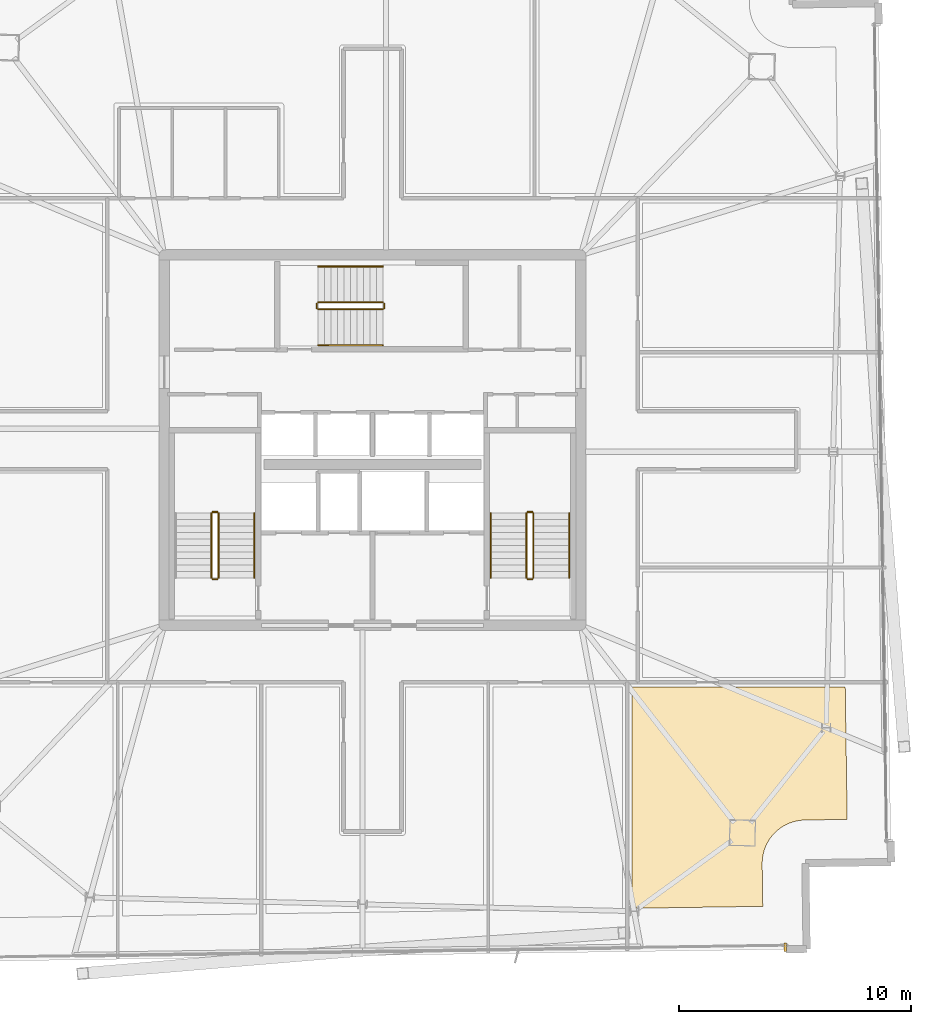
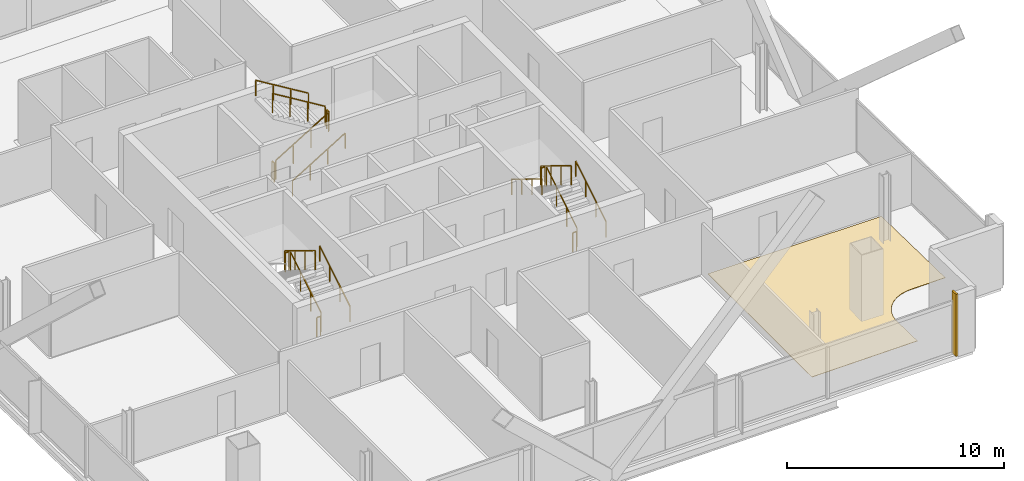
# One storey, part 24 of 25: 17 railings, 2 coverings.
"""IFC4 building model written with IfcOpenShell, lengths in metres."""

from ifc_helpers import new_model, si_unit, direction, frame, origin, origin_2d, place, context, subcontext, project, spatial, polyline, rectangle, outline, extrude, source, transform, mapped, material, layer, layer_set, type_object, element, save


model = new_model("IFC4")

# Units and contexts
model_context = context("Model", 3, precision=1e-05, world=origin(), true_north=direction((0.0, 1.0)))
body_context = subcontext(model_context, "Body", "Model", "MODEL_VIEW")
ifc_project = project(units=[si_unit("LENGTHUNIT", "METRE"), si_unit("AREAUNIT", "SQUARE_METRE"), si_unit("VOLUMEUNIT", "CUBIC_METRE"), si_unit("PLANEANGLEUNIT", "RADIAN"), si_unit("MASSUNIT", "GRAM", prefix="KILO")], contexts=[model_context])

# Site, building, storey
site_placement = place(None, origin())
site = spatial("IfcSite", under=ifc_project, at=site_placement, CompositionType="ELEMENT")
building_placement = place(site_placement, origin())
building = spatial("IfcBuilding", under=site, at=building_placement, Name="Haldenkirk Collegiate Tower", CompositionType="ELEMENT")
storey_placement = place(building_placement, frame((0.0, 0.0, 332.699951171875)))
storey = spatial("IfcBuildingStorey", under=building, at=storey_placement, Name="L84", CompositionType="ELEMENT", Elevation=332.699951171875)

# Covering
ifc_material_1 = material(Name="Engineered collegiate oak acoustic flooring", Category="wood")
ifc_layer_1 = layer(ifc_material_1, 0.02197265625)
ifc_layer_set_1 = layer_set([ifc_layer_1], Name="Engineered collegiate oak acoustic flooring")
covering_type_1 = type_object("IfcCoveringType", Name="COV-FLOOR-TIMBER", PredefinedType="FLOORING", material=ifc_layer_set_1)
covering_1_placement = place(storey_placement, origin())
element("IfcCovering", 1, at=covering_1_placement, inside=storey, type_object=covering_type_1, Name="L84 academic room finish 05", PredefinedType="FLOORING", context=body_context, shape_type="SweptSolid", body=[
    extrude(outline(polyline([(53.96240234375, 9.444580078125), (53.95166015625, 9.439697265625), (53.797607421875, 9.364013671875), (53.787353515625, 9.3583984375), (53.641357421875, 9.267822265625), (53.631591796875, 9.26123046875), (53.4951171875, 9.156982421875), (53.486083984375, 9.1494140625), (53.360595703125, 9.031982421875), (53.3525390625, 9.023681640625), (53.239013671875, 8.894775390625), (53.231689453125, 8.885498046875), (53.131591796875, 8.74609375), (53.125, 8.736083984375), (53.0390625, 8.587646484375), (53.03369140625, 8.5771484375), (52.96240234375, 8.4208984375), (52.9580078125, 8.409912109375), (52.902587890625, 8.247314453125), (52.8994140625, 8.23583984375), (52.860107421875, 8.068603515625), (52.858154296875, 8.05712890625), (52.83544921875, 7.886962890625), (52.83447265625, 7.875244140625), (52.82861328125, 7.70361328125), (52.828369140625, 7.69775390625), (52.85546875, 5.867919921875), (47.199951171875, 5.783935546875), (47.199951171875, 15.35009765625), (56.415283203125, 15.35009765625), (56.500244140625, 9.622314453125), (54.67041015625, 9.59521484375), (54.66455078125, 9.594970703125), (54.4931640625, 9.583984375), (54.4814453125, 9.58251953125), (54.31201171875, 9.554931640625), (54.300537109375, 9.552490234375), (54.134521484375, 9.50830078125), (54.123291015625, 9.504638671875), (53.96240234375, 9.444580078125)])), origin(), (0.0, 0.0, 1.0), 0.02197265625),
])

# Railings
ifc_material_2 = material(Name="Painted architectural tubular steel", Category="steel")
railing_type_1 = type_object("IfcRailingType", Name="RLG-STAIR-GUARD-1100", PredefinedType="BALUSTRADE", material=ifc_material_2)
railing_1_placement = place(storey_placement, frame((29.35009765625, 20.050048828125, 0.17041015625)))
element("IfcRailing", 2, at=railing_1_placement, inside=storey, type_object=railing_type_1, Name="L84 ST-1 stair guard 1", PredefinedType="BALUSTRADE", context=body_context, shape_type="SweptSolid", body=[
    extrude(rectangle(XDim=0.048095703125, YDim=0.048095703125, at=origin_2d()), frame((0.0, 0.0, 1.076171875), z_axis=(0.0, 0.854169791009, 0.51999420009), x_axis=(-1.0, 0.0, 0.0)), (0.0, 0.0, 1.0), 3.278076171875),
    extrude(rectangle(XDim=0.0419921875, YDim=0.0419921875, at=origin_2d()), origin(), (0.0, 0.0, 1.0), 1.052001953125),
    extrude(rectangle(XDim=0.0419921875, YDim=0.0419921875, at=origin_2d()), frame((0.0, 0.933349609375, 0.568115234375)), (0.0, 0.0, 1.0), 1.052001953125),
    extrude(rectangle(XDim=0.0419921875, YDim=0.0419921875, at=origin_2d()), frame((0.0, 1.86669921875, 1.136474609375)), (0.0, 0.0, 1.0), 1.052001953125),
    extrude(rectangle(XDim=0.0419921875, YDim=0.0419921875, at=origin_2d()), frame((0.0, 2.800048828125, 1.70458984375)), (0.0, 0.0, 1.0), 1.052001953125),
])
railing_2_placement = place(storey_placement, frame((29.300048828125, 22.89990234375, 1.875)))
element("IfcRailing", 3, at=railing_2_placement, inside=storey, type_object=railing_type_1, Name="L84 ST-1 stair guard 2", PredefinedType="BALUSTRADE", context=body_context, shape_type="SweptSolid", body=[
    extrude(rectangle(XDim=0.048095703125, YDim=0.048095703125, at=origin_2d()), frame((0.0, 0.0, 1.076171875), z_axis=(-1.0, 0.0, 0.0), x_axis=(0.0, -1.0, 0.0)), (0.0, 0.0, 1.0), 0.199951171875),
    extrude(rectangle(XDim=0.0419921875, YDim=0.0419921875, at=origin_2d()), origin(), (0.0, 0.0, 1.0), 1.052001953125),
    extrude(rectangle(XDim=0.0419921875, YDim=0.0419921875, at=origin_2d()), frame((-0.199951171875, 0.0, 0.0)), (0.0, 0.0, 1.0), 1.052001953125),
])
railing_3_placement = place(storey_placement, frame((29.050048828125, 22.85009765625, 2.04541015625)))
element("IfcRailing", 4, at=railing_3_placement, inside=storey, type_object=railing_type_1, Name="L84 ST-1 stair guard 3", PredefinedType="BALUSTRADE", context=body_context, shape_type="SweptSolid", body=[
    extrude(rectangle(XDim=0.048095703125, YDim=0.048095703125, at=origin_2d()), frame((0.0, 0.0, 1.076171875), z_axis=(0.0, -0.854169791009, 0.51999420009), x_axis=(1.0, 0.0, 0.0)), (0.0, 0.0, 1.0), 3.278076171875),
    extrude(rectangle(XDim=0.0419921875, YDim=0.0419921875, at=origin_2d()), origin(), (0.0, 0.0, 1.0), 1.052001953125),
    extrude(rectangle(XDim=0.0419921875, YDim=0.0419921875, at=origin_2d()), frame((0.0, -0.933349609375, 0.568115234375)), (0.0, 0.0, 1.0), 1.052001953125),
    extrude(rectangle(XDim=0.0419921875, YDim=0.0419921875, at=origin_2d()), frame((0.0, -1.86669921875, 1.136474609375)), (0.0, 0.0, 1.0), 1.052001953125),
    extrude(rectangle(XDim=0.0419921875, YDim=0.0419921875, at=origin_2d()), frame((0.0, -2.800048828125, 1.70458984375)), (0.0, 0.0, 1.0), 1.052001953125),
])
railing_4_placement = place(storey_placement, frame((29.300048828125, 20.0, 0.0)))
element("IfcRailing", 5, at=railing_4_placement, inside=storey, type_object=railing_type_1, Name="L84 ST-1 stair guard 4", PredefinedType="BALUSTRADE", context=body_context, shape_type="SweptSolid", body=[
    extrude(rectangle(XDim=0.048095703125, YDim=0.048095703125, at=origin_2d()), frame((0.0, 0.0, 1.076171875), z_axis=(-1.0, 0.0, 0.0), x_axis=(0.0, -1.0, 0.0)), (0.0, 0.0, 1.0), 0.199951171875),
    extrude(rectangle(XDim=0.0419921875, YDim=0.0419921875, at=origin_2d()), origin(), (0.0, 0.0, 1.0), 1.052001953125),
    extrude(rectangle(XDim=0.0419921875, YDim=0.0419921875, at=origin_2d()), frame((-0.199951171875, 0.0, 0.0)), (0.0, 0.0, 1.0), 1.052001953125),
])
railing_5_placement = place(storey_placement, frame((42.949951171875, 20.050048828125, 0.17041015625)))
element("IfcRailing", 6, at=railing_5_placement, inside=storey, type_object=railing_type_1, Name="L84 ST-2 stair guard 1", PredefinedType="BALUSTRADE", context=body_context, shape_type="SweptSolid", body=[
    extrude(rectangle(XDim=0.048095703125, YDim=0.048095703125, at=origin_2d()), frame((0.0, 0.0, 1.076171875), z_axis=(0.0, 0.854169791009, 0.51999420009), x_axis=(-1.0, 0.0, 0.0)), (0.0, 0.0, 1.0), 3.278076171875),
    extrude(rectangle(XDim=0.0419921875, YDim=0.0419921875, at=origin_2d()), origin(), (0.0, 0.0, 1.0), 1.052001953125),
    extrude(rectangle(XDim=0.0419921875, YDim=0.0419921875, at=origin_2d()), frame((0.0, 0.933349609375, 0.568115234375)), (0.0, 0.0, 1.0), 1.052001953125),
    extrude(rectangle(XDim=0.0419921875, YDim=0.0419921875, at=origin_2d()), frame((0.0, 1.86669921875, 1.136474609375)), (0.0, 0.0, 1.0), 1.052001953125),
    extrude(rectangle(XDim=0.0419921875, YDim=0.0419921875, at=origin_2d()), frame((0.0, 2.800048828125, 1.70458984375)), (0.0, 0.0, 1.0), 1.052001953125),
])
railing_6_placement = place(storey_placement, frame((42.89990234375, 22.89990234375, 1.875)))
element("IfcRailing", 7, at=railing_6_placement, inside=storey, type_object=railing_type_1, Name="L84 ST-2 stair guard 2", PredefinedType="BALUSTRADE", context=body_context, shape_type="SweptSolid", body=[
    extrude(rectangle(XDim=0.048095703125, YDim=0.048095703125, at=origin_2d()), frame((0.0, 0.0, 1.076171875), z_axis=(-1.0, 0.0, 0.0), x_axis=(0.0, -1.0, 0.0)), (0.0, 0.0, 1.0), 0.199951171875),
    extrude(rectangle(XDim=0.0419921875, YDim=0.0419921875, at=origin_2d()), origin(), (0.0, 0.0, 1.0), 1.052001953125),
    extrude(rectangle(XDim=0.0419921875, YDim=0.0419921875, at=origin_2d()), frame((-0.199951171875, 0.0, 0.0)), (0.0, 0.0, 1.0), 1.052001953125),
])
railing_7_placement = place(storey_placement, frame((42.64990234375, 22.85009765625, 2.04541015625)))
element("IfcRailing", 8, at=railing_7_placement, inside=storey, type_object=railing_type_1, Name="L84 ST-2 stair guard 3", PredefinedType="BALUSTRADE", context=body_context, shape_type="SweptSolid", body=[
    extrude(rectangle(XDim=0.048095703125, YDim=0.048095703125, at=origin_2d()), frame((0.0, 0.0, 1.076171875), z_axis=(0.0, -0.854169791009, 0.51999420009), x_axis=(1.0, 0.0, 0.0)), (0.0, 0.0, 1.0), 3.278076171875),
    extrude(rectangle(XDim=0.0419921875, YDim=0.0419921875, at=origin_2d()), origin(), (0.0, 0.0, 1.0), 1.052001953125),
    extrude(rectangle(XDim=0.0419921875, YDim=0.0419921875, at=origin_2d()), frame((0.0, -0.933349609375, 0.568115234375)), (0.0, 0.0, 1.0), 1.052001953125),
    extrude(rectangle(XDim=0.0419921875, YDim=0.0419921875, at=origin_2d()), frame((0.0, -1.86669921875, 1.136474609375)), (0.0, 0.0, 1.0), 1.052001953125),
    extrude(rectangle(XDim=0.0419921875, YDim=0.0419921875, at=origin_2d()), frame((0.0, -2.800048828125, 1.70458984375)), (0.0, 0.0, 1.0), 1.052001953125),
])
railing_8_placement = place(storey_placement, frame((42.89990234375, 20.0, 0.0)))
element("IfcRailing", 9, at=railing_8_placement, inside=storey, type_object=railing_type_1, Name="L84 ST-2 stair guard 4", PredefinedType="BALUSTRADE", context=body_context, shape_type="SweptSolid", body=[
    extrude(rectangle(XDim=0.048095703125, YDim=0.048095703125, at=origin_2d()), frame((0.0, 0.0, 1.076171875), z_axis=(-1.0, 0.0, 0.0), x_axis=(0.0, -1.0, 0.0)), (0.0, 0.0, 1.0), 0.199951171875),
    extrude(rectangle(XDim=0.0419921875, YDim=0.0419921875, at=origin_2d()), origin(), (0.0, 0.0, 1.0), 1.052001953125),
    extrude(rectangle(XDim=0.0419921875, YDim=0.0419921875, at=origin_2d()), frame((-0.199951171875, 0.0, 0.0)), (0.0, 0.0, 1.0), 1.052001953125),
])
railing_9_placement = place(storey_placement, frame((33.64990234375, 31.64990234375, 0.17041015625)))
element("IfcRailing", 10, at=railing_9_placement, inside=storey, type_object=railing_type_1, Name="L84 ST-3 stair guard 1", PredefinedType="BALUSTRADE", context=body_context, shape_type="SweptSolid", body=[
    extrude(rectangle(XDim=0.048095703125, YDim=0.048095703125, at=origin_2d()), frame((0.0, 0.0, 1.076171875), z_axis=(0.854169791009, 0.0, 0.51999420009), x_axis=(0.0, 1.0, 0.0)), (0.0, 0.0, 1.0), 3.278076171875),
    extrude(rectangle(XDim=0.0419921875, YDim=0.0419921875, at=origin_2d()), origin(), (0.0, 0.0, 1.0), 1.052001953125),
    extrude(rectangle(XDim=0.0419921875, YDim=0.0419921875, at=origin_2d()), frame((0.933349609375, 0.0, 0.568115234375)), (0.0, 0.0, 1.0), 1.052001953125),
    extrude(rectangle(XDim=0.0419921875, YDim=0.0419921875, at=origin_2d()), frame((1.86669921875, 0.0, 1.136474609375)), (0.0, 0.0, 1.0), 1.052001953125),
    extrude(rectangle(XDim=0.0419921875, YDim=0.0419921875, at=origin_2d()), frame((2.800048828125, 0.0, 1.70458984375)), (0.0, 0.0, 1.0), 1.052001953125),
])
railing_10_placement = place(storey_placement, frame((36.5, 31.699951171875, 1.875)))
element("IfcRailing", 11, at=railing_10_placement, inside=storey, type_object=railing_type_1, Name="L84 ST-3 stair guard 2", PredefinedType="BALUSTRADE", context=body_context, shape_type="SweptSolid", body=[
    extrude(rectangle(XDim=0.048095703125, YDim=0.048095703125, at=origin_2d()), frame((0.0, 0.0, 1.076171875), z_axis=(0.0, 1.0, 0.0), x_axis=(-1.0, 0.0, 0.0)), (0.0, 0.0, 1.0), 0.199951171875),
    extrude(rectangle(XDim=0.0419921875, YDim=0.0419921875, at=origin_2d()), origin(), (0.0, 0.0, 1.0), 1.052001953125),
    extrude(rectangle(XDim=0.0419921875, YDim=0.0419921875, at=origin_2d()), frame((0.0, 0.199951171875, 0.0)), (0.0, 0.0, 1.0), 1.052001953125),
])
railing_11_placement = place(storey_placement, frame((36.449951171875, 31.949951171875, 2.04541015625)))
element("IfcRailing", 12, at=railing_11_placement, inside=storey, type_object=railing_type_1, Name="L84 ST-3 stair guard 3", PredefinedType="BALUSTRADE", context=body_context, shape_type="SweptSolid", body=[
    extrude(rectangle(XDim=0.048095703125, YDim=0.048095703125, at=origin_2d()), frame((0.0, 0.0, 1.076171875), z_axis=(-0.854169791009, 0.0, 0.51999420009), x_axis=(0.0, -1.0, 0.0)), (0.0, 0.0, 1.0), 3.278076171875),
    extrude(rectangle(XDim=0.0419921875, YDim=0.0419921875, at=origin_2d()), origin(), (0.0, 0.0, 1.0), 1.052001953125),
    extrude(rectangle(XDim=0.0419921875, YDim=0.0419921875, at=origin_2d()), frame((-0.933349609375, 0.0, 0.568115234375)), (0.0, 0.0, 1.0), 1.052001953125),
    extrude(rectangle(XDim=0.0419921875, YDim=0.0419921875, at=origin_2d()), frame((-1.86669921875, 0.0, 1.136474609375)), (0.0, 0.0, 1.0), 1.052001953125),
    extrude(rectangle(XDim=0.0419921875, YDim=0.0419921875, at=origin_2d()), frame((-2.800048828125, 0.0, 1.70458984375)), (0.0, 0.0, 1.0), 1.052001953125),
])
railing_12_placement = place(storey_placement, frame((33.60009765625, 31.699951171875, 0.0)))
element("IfcRailing", 13, at=railing_12_placement, inside=storey, type_object=railing_type_1, Name="L84 ST-3 stair guard 4", PredefinedType="BALUSTRADE", context=body_context, shape_type="SweptSolid", body=[
    extrude(rectangle(XDim=0.048095703125, YDim=0.048095703125, at=origin_2d()), frame((0.0, 0.0, 1.076171875), z_axis=(0.0, 1.0, 0.0), x_axis=(-1.0, 0.0, 0.0)), (0.0, 0.0, 1.0), 0.199951171875),
    extrude(rectangle(XDim=0.0419921875, YDim=0.0419921875, at=origin_2d()), origin(), (0.0, 0.0, 1.0), 1.052001953125),
    extrude(rectangle(XDim=0.0419921875, YDim=0.0419921875, at=origin_2d()), frame((0.0, 0.199951171875, 0.0)), (0.0, 0.0, 1.0), 1.052001953125),
])
railing_type_2 = type_object("IfcRailingType", Name="RLG-STAIR-HANDRAIL-900", PredefinedType="HANDRAIL", material=ifc_material_2)
for number, where, name in (
    (14, (30.89990234375, 20.050048828125, 0.17041015625), "L84 ST-1 stair handrail 1"),
    (15, (44.5, 20.050048828125, 0.17041015625), "L84 ST-2 stair handrail 1"),
):
    element("IfcRailing", number, at=place(storey_placement, frame(where)), inside=storey, type_object=railing_type_2, Name=name, PredefinedType="HANDRAIL", context=body_context, shape_type="SweptSolid", body=[
        extrude(rectangle(XDim=0.048095703125, YDim=0.048095703125, at=origin_2d()), frame((0.0, 0.0, 0.8759765625), z_axis=(0.0, 0.854169791009, 0.51999420009), x_axis=(-1.0, 0.0, 0.0)), (0.0, 0.0, 1.0), 3.278076171875),
        extrude(rectangle(XDim=0.0419921875, YDim=0.0419921875, at=origin_2d()), origin(), (0.0, 0.0, 1.0), 0.851806640625),
        extrude(rectangle(XDim=0.0419921875, YDim=0.0419921875, at=origin_2d()), frame((0.0, 0.933349609375, 0.568115234375)), (0.0, 0.0, 1.0), 0.851806640625),
        extrude(rectangle(XDim=0.0419921875, YDim=0.0419921875, at=origin_2d()), frame((0.0, 1.86669921875, 1.136474609375)), (0.0, 0.0, 1.0), 0.851806640625),
        extrude(rectangle(XDim=0.0419921875, YDim=0.0419921875, at=origin_2d()), frame((0.0, 2.800048828125, 1.70458984375)), (0.0, 0.0, 1.0), 0.851806640625),
    ])
railing_13_placement = place(storey_placement, frame((41.10009765625, 22.85009765625, 2.04541015625)))
element("IfcRailing", 16, at=railing_13_placement, inside=storey, type_object=railing_type_2, Name="L84 ST-2 stair handrail 2", PredefinedType="HANDRAIL", context=body_context, shape_type="SweptSolid", body=[
    extrude(rectangle(XDim=0.048095703125, YDim=0.048095703125, at=origin_2d()), frame((0.0, 0.0, 0.8759765625), z_axis=(0.0, -0.854169791009, 0.51999420009), x_axis=(1.0, 0.0, 0.0)), (0.0, 0.0, 1.0), 3.278076171875),
    extrude(rectangle(XDim=0.0419921875, YDim=0.0419921875, at=origin_2d()), origin(), (0.0, 0.0, 1.0), 0.851806640625),
    extrude(rectangle(XDim=0.0419921875, YDim=0.0419921875, at=origin_2d()), frame((0.0, -0.933349609375, 0.568115234375)), (0.0, 0.0, 1.0), 0.851806640625),
    extrude(rectangle(XDim=0.0419921875, YDim=0.0419921875, at=origin_2d()), frame((0.0, -1.86669921875, 1.136474609375)), (0.0, 0.0, 1.0), 0.851806640625),
    extrude(rectangle(XDim=0.0419921875, YDim=0.0419921875, at=origin_2d()), frame((0.0, -2.800048828125, 1.70458984375)), (0.0, 0.0, 1.0), 0.851806640625),
])
railing_14_placement = place(storey_placement, frame((33.64990234375, 30.10009765625, 0.17041015625)))
element("IfcRailing", 17, at=railing_14_placement, inside=storey, type_object=railing_type_2, Name="L84 ST-3 stair handrail 1", PredefinedType="HANDRAIL", context=body_context, shape_type="SweptSolid", body=[
    extrude(rectangle(XDim=0.048095703125, YDim=0.048095703125, at=origin_2d()), frame((0.0, 0.0, 0.8759765625), z_axis=(0.854169791009, 0.0, 0.51999420009), x_axis=(0.0, 1.0, 0.0)), (0.0, 0.0, 1.0), 3.278076171875),
    extrude(rectangle(XDim=0.0419921875, YDim=0.0419921875, at=origin_2d()), origin(), (0.0, 0.0, 1.0), 0.851806640625),
    extrude(rectangle(XDim=0.0419921875, YDim=0.0419921875, at=origin_2d()), frame((0.933349609375, 0.0, 0.568115234375)), (0.0, 0.0, 1.0), 0.851806640625),
    extrude(rectangle(XDim=0.0419921875, YDim=0.0419921875, at=origin_2d()), frame((1.86669921875, 0.0, 1.136474609375)), (0.0, 0.0, 1.0), 0.851806640625),
    extrude(rectangle(XDim=0.0419921875, YDim=0.0419921875, at=origin_2d()), frame((2.800048828125, 0.0, 1.70458984375)), (0.0, 0.0, 1.0), 0.851806640625),
])
railing_15_placement = place(storey_placement, frame((36.449951171875, 33.5, 2.04541015625)))
element("IfcRailing", 18, at=railing_15_placement, inside=storey, type_object=railing_type_2, Name="L84 ST-3 stair handrail 2", PredefinedType="HANDRAIL", context=body_context, shape_type="SweptSolid", body=[
    extrude(rectangle(XDim=0.048095703125, YDim=0.048095703125, at=origin_2d()), frame((0.0, 0.0, 0.8759765625), z_axis=(-0.854169791009, 0.0, 0.51999420009), x_axis=(0.0, -1.0, 0.0)), (0.0, 0.0, 1.0), 3.278076171875),
    extrude(rectangle(XDim=0.0419921875, YDim=0.0419921875, at=origin_2d()), origin(), (0.0, 0.0, 1.0), 0.851806640625),
    extrude(rectangle(XDim=0.0419921875, YDim=0.0419921875, at=origin_2d()), frame((-0.933349609375, 0.0, 0.568115234375)), (0.0, 0.0, 1.0), 0.851806640625),
    extrude(rectangle(XDim=0.0419921875, YDim=0.0419921875, at=origin_2d()), frame((-1.86669921875, 0.0, 1.136474609375)), (0.0, 0.0, 1.0), 0.851806640625),
    extrude(rectangle(XDim=0.0419921875, YDim=0.0419921875, at=origin_2d()), frame((-2.800048828125, 0.0, 1.70458984375)), (0.0, 0.0, 1.0), 0.851806640625),
])

# Covering
ifc_material_3 = material(Name="Anodised architectural bronze aluminium", Category="aluminium")
ifc_layer_2 = layer(ifc_material_3, 0.06005859375)
ifc_layer_set_2 = layer_set([ifc_layer_2], Name="Anodised architectural bronze aluminium")
covering_type_2 = type_object("IfcCoveringType", Name="COV-CLAD-BRONZE-60", PredefinedType="CLADDING", material=ifc_layer_set_2)
shared_shape = source(origin(), body_context, "Body", "SweptSolid", [
    extrude(rectangle(XDim=0.10009765625, YDim=0.3798828125, at=origin_2d()), origin(), (0.0, 0.0, 1.0), 3.489990234375),
])
covering_2_placement = place(storey_placement, frame((53.82177734375, 4.101806640625, 0.0), z_axis=(0.0, 0.0, 1.0), x_axis=(-0.999889958975, -0.014834754474, 0.0)))
element("IfcCovering", 19, at=covering_2_placement, inside=storey, type_object=covering_type_2, Name="L84 recessed curtain-wall bronze jamb closure WJL", PredefinedType="CLADDING", context=body_context, shape_type="MappedRepresentation", body=[
    mapped(shared_shape, transform((0.0, 0.0, 0.0), x_axis=(1.0, 0.0, 0.0), y_axis=(0.0, 1.0, 0.0), z_axis=(0.0, 0.0, 1.0), scale=1.0)),
])

save(model, "model.ifc")
